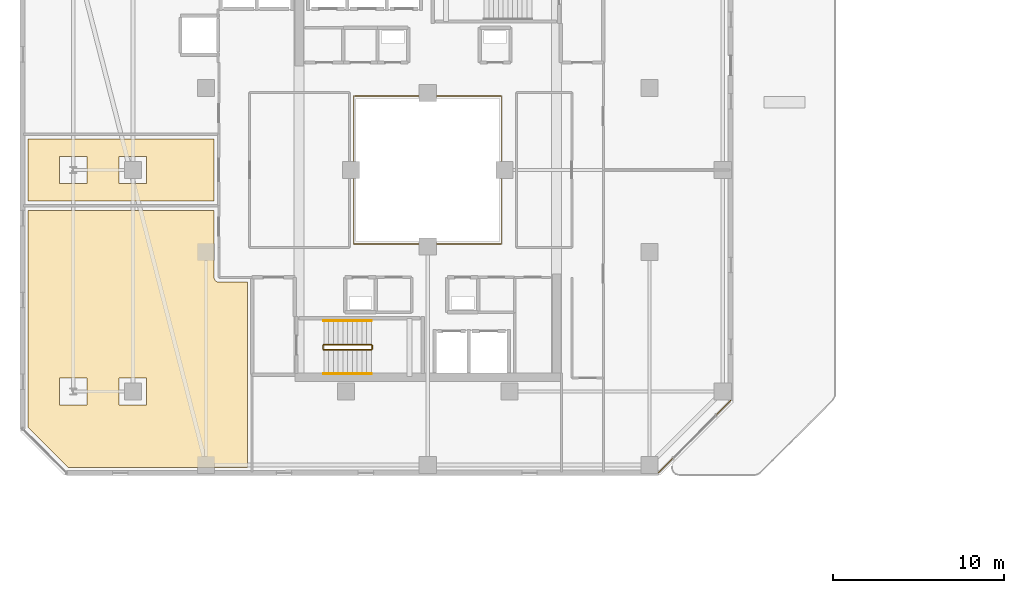
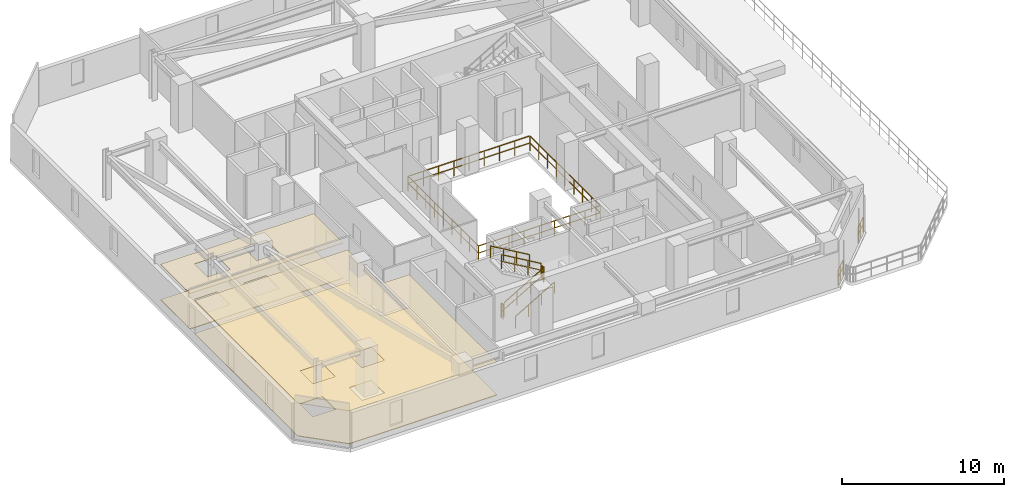
# One storey, part 28 of 32: 9 railings, 4 coverings.
"""IFC4 building model written with IfcOpenShell, lengths in metres."""

import ifcopenshell
import ifcopenshell.guid

model = None  # the IFC model being written
_history = None  # IfcOwnerHistory: only IFC2X3 demands one
_inside = {}  # id of a spatial element -> (the spatial element, [elements in it])
_under = {}  # id of a project, library or spatial element -> (it, [spatial elements below it])
_declared = {}  # id of a project -> (the project, [libraries it declares])
_typed = {}  # id of a type object -> (the type object, [elements of that type])
_made_of = {}  # id of a material, layer set ... -> (it, [elements and type objects made of it])


def new_model(schema):
    """Start an empty IFC model of exactly this schema.

    Asked for "IFC4X3", IfcOpenShell would pick the latest addendum, in which some entities
    have other attributes; the version numbers below select the first issue.
    IFC2X3 requires an IfcOwnerHistory on every rooted entity: one is made here for all.
    """
    global model, _history
    if schema == "IFC4X3":
        model = ifcopenshell.file(schema_version=(4, 3, 0, 0))
    else:
        model = ifcopenshell.file(schema=schema)
    _inside.clear()
    _under.clear()
    _declared.clear()
    _typed.clear()
    _made_of.clear()
    _history = None
    if model.schema == "IFC2X3":
        org = make("IfcOrganization", Name="unknown")
        user = make(
            "IfcPersonAndOrganization",
            ThePerson=make("IfcPerson", FamilyName="unknown"),
            TheOrganization=org,
        )
        app = make(
            "IfcApplication",
            ApplicationDeveloper=org,
            Version="unknown",
            ApplicationFullName="unknown",
            ApplicationIdentifier="unknown",
        )
        _history = make(
            "IfcOwnerHistory",
            OwningUser=user,
            OwningApplication=app,
            ChangeAction="ADDED",
            CreationDate=0,
        )
    return model


def make(cls, **values):
    """One entity of the class cls with the attributes given. An attribute that is None is left unset."""
    return model.create_entity(
        cls, **{name: value for name, value in values.items() if value is not None}
    )


def rooted(cls, **values):
    """An entity with a GlobalId (a new one), such as an element, a storey or a relation."""
    return make(cls, GlobalId=ifcopenshell.guid.new(), OwnerHistory=_history, **values)


def si_unit(unit_type, name, prefix=None):
    """IfcSIUnit, for example si_unit("LENGTHUNIT", "METRE", prefix="MILLI")."""
    return make("IfcSIUnit", UnitType=unit_type, Prefix=prefix, Name=name)


def assignment(units):
    """IfcUnitAssignment: the units of a project."""
    return None if units is None else make("IfcUnitAssignment", Units=units)


def point(xyz):
    """IfcCartesianPoint."""
    return None if xyz is None else make("IfcCartesianPoint", Coordinates=xyz)


def direction(xyz):
    """IfcDirection."""
    return None if xyz is None else make("IfcDirection", DirectionRatios=xyz)


def frame(location, z_axis=None, x_axis=None):
    """IfcAxis2Placement3D, a coordinate frame: its origin and axes. An axis left out is left unset."""
    return make(
        "IfcAxis2Placement3D",
        Location=point(location),
        Axis=direction(z_axis),
        RefDirection=direction(x_axis),
    )


def frame_2d(location, x_axis=None):
    """IfcAxis2Placement2D, a coordinate frame in the plane: its origin and x axis."""
    return make(
        "IfcAxis2Placement2D", Location=point(location), RefDirection=direction(x_axis)
    )


def origin():
    """The frame at (0, 0, 0) with its axes left unset."""
    return frame((0.0, 0.0, 0.0))


def origin_2d():
    """The frame at (0, 0) in the plane with its x axis left unset."""
    return frame_2d((0.0, 0.0))


def place(relative_to, where):
    """IfcLocalPlacement: puts the frame where relative to a parent placement (None: the world)."""
    return make(
        "IfcLocalPlacement", PlacementRelTo=relative_to, RelativePlacement=where
    )


def context(
    kind, dimensions, precision=None, world=None, true_north=None, identifier=None
):
    """IfcGeometricRepresentationContext, for example the 3D "Model" context."""
    return make(
        "IfcGeometricRepresentationContext",
        ContextIdentifier=identifier,
        ContextType=kind,
        CoordinateSpaceDimension=dimensions,
        Precision=precision,
        WorldCoordinateSystem=world,
        TrueNorth=true_north,
    )


def subcontext(parent, identifier, kind, view, scale=None):
    """IfcGeometricRepresentationSubContext, for example "Body" below "Model"."""
    return make(
        "IfcGeometricRepresentationSubContext",
        ContextIdentifier=identifier,
        ContextType=kind,
        ParentContext=parent,
        TargetScale=scale,
        TargetView=view,
    )


def project(units=None, contexts=None):
    """IfcProject with its units and contexts."""
    return rooted(
        "IfcProject",
        Name="project",
        RepresentationContexts=contexts,
        UnitsInContext=assignment(units),
    )


def spatial(cls, under=None, at=None, **own):
    """A site, building, storey or space (cls), placed at a placement, below another one or the project."""
    s = rooted(cls, ObjectPlacement=at, **own)
    if under is not None:
        _under.setdefault(under.id(), (under, []))[1].append(s)
    return s


def polyline(points):
    """IfcPolyline through the points."""
    return make("IfcPolyline", Points=[point(p) for p in points])


def profile(cls, at=None, kind="AREA", **sizes):
    """A parametric profile (cls). Its sizes go by their IFC names, for example OverallWidth=200.0."""
    return make(cls, ProfileType=kind, Position=at, **sizes)


def rectangle(**sizes):
    """IfcRectangleProfileDef."""
    return profile("IfcRectangleProfileDef", **sizes)


def outline(outer, holes=None, kind="AREA"):
    """IfcArbitraryClosedProfileDef: a profile drawn as a closed curve; with holes, ...WithVoids."""
    if holes is None:
        return make("IfcArbitraryClosedProfileDef", ProfileType=kind, OuterCurve=outer)
    return make(
        "IfcArbitraryProfileDefWithVoids",
        ProfileType=kind,
        OuterCurve=outer,
        InnerCurves=holes,
    )


def extrude(swept, where, along, depth):
    """IfcExtrudedAreaSolid: the profile swept, set in the frame where, extruded along a direction by depth."""
    return make(
        "IfcExtrudedAreaSolid",
        SweptArea=swept,
        Position=where,
        ExtrudedDirection=direction(along),
        Depth=depth,
    )


def shape(context_of_items, identifier, shape_type, items):
    """IfcShapeRepresentation: the items that make up one representation, for example the "Body"."""
    return make(
        "IfcShapeRepresentation",
        ContextOfItems=context_of_items,
        RepresentationIdentifier=identifier,
        RepresentationType=shape_type,
        Items=items,
    )


def material(Name=None, Category=None):
    """IfcMaterial."""
    return make("IfcMaterial", Name=Name, Category=Category)


def layer(
    of_material, thickness, ventilated=None, Name=None, Category=None, Priority=None
):
    """IfcMaterialLayer: one layer of a wall or slab, of a material (None: an air gap)."""
    return make(
        "IfcMaterialLayer",
        Material=of_material,
        LayerThickness=thickness,
        IsVentilated=ventilated,
        Name=Name,
        Category=Category,
        Priority=Priority,
    )


def layer_set(layers, Name=None):
    """IfcMaterialLayerSet."""
    return make("IfcMaterialLayerSet", MaterialLayers=layers, LayerSetName=Name)


def made_of(thing, what):
    """Note that an element or type object is made of a material, layer set ...; save() writes the relation."""
    if what is not None:
        _made_of.setdefault(what.id(), (what, []))[1].append(thing)
    return thing


def type_object(cls, material=None, **own):
    """A type object (cls), such as IfcWallType, which elements share."""
    return made_of(rooted(cls, **own), material)


def element(
    cls,
    number,
    at=None,
    inside=None,
    cuts=None,
    type_object=None,
    material=None,
    context=None,
    identifier="Body",
    shape_type=None,
    held_by="IfcProductDefinitionShape",
    body=None,
    shapes=None,
    **own,
):
    """One element of the class cls, such as IfcWall. Its Tag is "e" and its number.

    at: its placement. inside: the storey or other place that contains it. cuts: it is an
    opening in that element (IfcRelVoidsElement). A single representation is given by context,
    identifier, shape_type and body (its items); several are given by shapes. held_by: the class
    of the entity that holds the representations. save() writes the other relations.
    """
    e = rooted(cls, Tag="e%d" % number, ObjectPlacement=at, **own)
    if body is not None:
        shapes = [shape(context, identifier, shape_type, body)]
    if shapes is not None:
        e.Representation = make(held_by, Representations=shapes)
    if inside is not None:
        _inside.setdefault(inside.id(), (inside, []))[1].append(e)
    if cuts is not None:
        rooted(
            "IfcRelVoidsElement", RelatingBuildingElement=cuts, RelatedOpeningElement=e
        )
    if type_object is not None:
        _typed.setdefault(type_object.id(), (type_object, []))[1].append(e)
    return made_of(e, material)


def aggregate(whole, parts):
    """IfcRelAggregates: a whole, such as a stair, and the parts it consists of."""
    return rooted("IfcRelAggregates", RelatingObject=whole, RelatedObjects=parts)


def save(model, path):
    """Write the relations noted so far, then the file.

    IfcRelAggregates (storeys below a building ...), IfcRelContainedInSpatialStructure (elements
    in a storey), IfcRelDefinesByType, IfcRelAssociatesMaterial and IfcRelDeclares: one each for
    every whole, place, type object, material and project.
    """
    for whole, parts in _under.values():
        aggregate(whole, parts)
    for where, things in _inside.values():
        rooted(
            "IfcRelContainedInSpatialStructure",
            RelatedElements=things,
            RelatingStructure=where,
        )
    for kind, things in _typed.values():
        rooted("IfcRelDefinesByType", RelatedObjects=things, RelatingType=kind)
    for what, things in _made_of.values():
        rooted("IfcRelAssociatesMaterial", RelatedObjects=things, RelatingMaterial=what)
    for by, libraries in _declared.values():
        rooted("IfcRelDeclares", RelatingContext=by, RelatedDefinitions=libraries)
    model.write(path)


model = new_model("IFC4")

# Units and contexts
model_context = context("Model", 3, precision=1e-05, world=origin(), true_north=direction((0.0, 1.0)))
body_context = subcontext(model_context, "Body", "Model", "MODEL_VIEW")
ifc_project = project(units=[si_unit("LENGTHUNIT", "METRE"), si_unit("AREAUNIT", "SQUARE_METRE"), si_unit("VOLUMEUNIT", "CUBIC_METRE"), si_unit("PLANEANGLEUNIT", "RADIAN"), si_unit("MASSUNIT", "GRAM", prefix="KILO")], contexts=[model_context])

# Site, building, storey
site_placement = place(None, origin())
site = spatial("IfcSite", under=ifc_project, at=site_placement, CompositionType="ELEMENT")
building_placement = place(site_placement, origin())
building = spatial("IfcBuilding", under=site, at=building_placement, Name="Thornwick Lancets Civic Towers", CompositionType="ELEMENT")
storey_placement = place(building_placement, frame((0.0, 0.0, 200.10009765625)))
storey = spatial("IfcBuildingStorey", under=building, at=storey_placement, Name="L53", CompositionType="ELEMENT", Elevation=200.10009765625)

# Coverings
ifc_material_1 = material(Name="Perforated mineral acoustic ceiling tile")
ifc_layer_1 = layer(ifc_material_1, 0.0400390625, Name="Perforated mineral acoustic ceiling tile")
ifc_layer_set_1 = layer_set([ifc_layer_1], Name="Perforated mineral acoustic ceiling tile")
covering_type_1 = type_object("IfcCoveringType", Name="COV_CEIL_ACOUSTIC", PredefinedType="CEILING", material=ifc_layer_set_1)
covering_1_placement = place(storey_placement, frame((0.0, 0.0, 2.48486328125)))
element("IfcCovering", 1, at=covering_1_placement, inside=storey, type_object=covering_type_1, Name="L53 Tower A Ministry Directorate Office W1 Ceiling", PredefinedType="CEILING", context=body_context, shape_type="SweptSolid", body=[
    extrude(outline(polyline([(2.06005859375, 11.890625), (2.06005859375, 24.6201171875), (12.969970703125, 24.6201171875), (12.969970703125, 20.699951171875), (12.97119140625, 20.672607421875), (12.975341796875, 20.6455078125), (12.982177734375, 20.61865234375), (12.9912109375, 20.5927734375), (13.003173828125, 20.568115234375), (13.01708984375, 20.54443359375), (13.03369140625, 20.5224609375), (13.052001953125, 20.501953125), (13.072509765625, 20.483642578125), (13.094482421875, 20.46728515625), (13.117919921875, 20.453125), (13.142822265625, 20.44140625), (13.168701171875, 20.43212890625), (13.1953125, 20.42529296875), (13.22265625, 20.42138671875), (13.25, 20.419921875), (14.919921875, 20.419921875), (14.919921875, 9.56005859375), (4.390625, 9.56005859375), (2.06005859375, 11.890625)]), holes=[polyline([(7.39990234375, 13.199951171875), (9.0, 13.199951171875), (9.0, 14.800048828125), (7.39990234375, 14.800048828125), (7.39990234375, 13.199951171875)]), polyline([(3.89990234375, 13.199951171875), (5.5, 13.199951171875), (5.5, 14.800048828125), (3.89990234375, 14.800048828125), (3.89990234375, 13.199951171875)])]), origin(), (0.0, 0.0, 1.0), 0.0400390625),
])
covering_2_placement = place(storey_placement, frame((0.0, 0.0, 2.667724609375)))
element("IfcCovering", 2, at=covering_2_placement, inside=storey, type_object=covering_type_1, Name="L53 Tower A Policy Briefing Room W2 Ceiling", PredefinedType="CEILING", context=body_context, shape_type="SweptSolid", body=[
    extrude(outline(polyline([(12.969970703125, 25.179931640625), (2.06005859375, 25.179931640625), (2.06005859375, 28.820068359375), (12.969970703125, 28.820068359375), (12.969970703125, 25.179931640625)]), holes=[polyline([(7.39990234375, 26.199951171875), (9.0, 26.199951171875), (9.0, 27.800048828125), (7.39990234375, 27.800048828125), (7.39990234375, 26.199951171875)]), polyline([(3.89990234375, 26.199951171875), (5.5, 26.199951171875), (5.5, 27.800048828125), (3.89990234375, 27.800048828125), (3.89990234375, 26.199951171875)])]), origin(), (0.0, 0.0, 1.0), 0.0400390625),
])
ifc_material_2 = material(Name="Calcium-sulfate raised access floor panel")
ifc_layer_2 = layer(ifc_material_2, 0.050048828125, Name="Calcium-sulfate raised access floor panel")
ifc_layer_set_2 = layer_set([ifc_layer_2], Name="Calcium-sulfate raised access floor panel")
covering_type_2 = type_object("IfcCoveringType", Name="COV_FLOOR_RAISED", PredefinedType="FLOORING", material=ifc_layer_set_2)
covering_3_placement = place(storey_placement, origin())
element("IfcCovering", 3, at=covering_3_placement, inside=storey, type_object=covering_type_2, Name="L53 Tower A Ministry Directorate Office W1 Raised Access Flooring", PredefinedType="FLOORING", context=body_context, shape_type="SweptSolid", body=[
    extrude(outline(polyline([(2.06005859375, 11.890625), (2.06005859375, 24.6201171875), (12.969970703125, 24.6201171875), (12.969970703125, 20.699951171875), (12.97119140625, 20.672607421875), (12.975341796875, 20.6455078125), (12.982177734375, 20.61865234375), (12.9912109375, 20.5927734375), (13.003173828125, 20.568115234375), (13.01708984375, 20.54443359375), (13.03369140625, 20.5224609375), (13.052001953125, 20.501953125), (13.072509765625, 20.483642578125), (13.094482421875, 20.46728515625), (13.117919921875, 20.453125), (13.142822265625, 20.44140625), (13.168701171875, 20.43212890625), (13.1953125, 20.42529296875), (13.22265625, 20.42138671875), (13.25, 20.419921875), (14.919921875, 20.419921875), (14.919921875, 9.56005859375), (4.390625, 9.56005859375), (2.06005859375, 11.890625)]), holes=[polyline([(7.39990234375, 13.199951171875), (9.0, 13.199951171875), (9.0, 14.800048828125), (7.39990234375, 14.800048828125), (7.39990234375, 13.199951171875)]), polyline([(3.89990234375, 13.199951171875), (5.5, 13.199951171875), (5.5, 14.800048828125), (3.89990234375, 14.800048828125), (3.89990234375, 13.199951171875)])]), origin(), (0.0, 0.0, 1.0), 0.0498046875),
])
covering_4_placement = place(storey_placement, origin())
element("IfcCovering", 4, at=covering_4_placement, inside=storey, type_object=covering_type_2, Name="L53 Tower A Policy Briefing Room W2 Raised Access Flooring", PredefinedType="FLOORING", context=body_context, shape_type="SweptSolid", body=[
    extrude(outline(polyline([(12.969970703125, 25.179931640625), (2.06005859375, 25.179931640625), (2.06005859375, 28.820068359375), (12.969970703125, 28.820068359375), (12.969970703125, 25.179931640625)]), holes=[polyline([(7.39990234375, 26.199951171875), (9.0, 26.199951171875), (9.0, 27.800048828125), (7.39990234375, 27.800048828125), (7.39990234375, 26.199951171875)]), polyline([(3.89990234375, 26.199951171875), (5.5, 26.199951171875), (5.5, 27.800048828125), (3.89990234375, 27.800048828125), (3.89990234375, 26.199951171875)])]), origin(), (0.0, 0.0, 1.0), 0.0498046875),
])

# Railings
ifc_material_3 = material(Name="Laminated glass and bronze steel S355", Category="steel")
railing_type_1 = type_object("IfcRailingType", Name="RAIL_ATRIUM_GUARD", PredefinedType="BALUSTRADE", material=ifc_material_3)
railing_1_placement = place(storey_placement, frame((21.159912109375, 22.659912109375, 0.0)))
element("IfcRailing", 5, at=railing_1_placement, inside=storey, type_object=railing_type_1, Name="L53 Tower A Central Atrium Guard Balustrade", PredefinedType="BALUSTRADE", context=body_context, shape_type="SweptSolid", body=[
    extrude(rectangle(XDim=0.048095703125, YDim=0.048095703125, at=origin_2d()), frame((0.0, 0.0, 1.1259765625), z_axis=(1.0, 0.0, 0.0), x_axis=(0.0, 1.0, 0.0)), (0.0, 0.0, 1.0), 8.64892578125),
    extrude(rectangle(XDim=0.0419921875, YDim=0.0419921875, at=origin_2d()), frame((0.03759765625, 0.0, 0.597900390625), z_axis=(1.0, 0.0, 0.0), x_axis=(0.0, 1.0, 0.0)), (0.0, 0.0, 1.0), 1.010009765625),
    extrude(rectangle(XDim=0.0419921875, YDim=0.0419921875, at=origin_2d()), frame((1.12255859375, 0.0, 0.597900390625), z_axis=(1.0, 0.0, 0.0), x_axis=(0.0, 1.0, 0.0)), (0.0, 0.0, 1.0), 1.010009765625),
    extrude(rectangle(XDim=0.0419921875, YDim=0.0419921875, at=origin_2d()), frame((2.20751953125, 0.0, 0.597900390625), z_axis=(1.0, 0.0, 0.0), x_axis=(0.0, 1.0, 0.0)), (0.0, 0.0, 1.0), 1.010009765625),
    extrude(rectangle(XDim=0.0419921875, YDim=0.0419921875, at=origin_2d()), frame((3.29248046875, 0.0, 0.597900390625), z_axis=(1.0, 0.0, 0.0), x_axis=(0.0, 1.0, 0.0)), (0.0, 0.0, 1.0), 1.010009765625),
    extrude(rectangle(XDim=0.0419921875, YDim=0.0419921875, at=origin_2d()), frame((4.377685546875, 0.0, 0.597900390625), z_axis=(1.0, 0.0, 0.0), x_axis=(0.0, 1.0, 0.0)), (0.0, 0.0, 1.0), 1.010009765625),
    extrude(rectangle(XDim=0.0419921875, YDim=0.0419921875, at=origin_2d()), frame((5.462646484375, 0.0, 0.597900390625), z_axis=(1.0, 0.0, 0.0), x_axis=(0.0, 1.0, 0.0)), (0.0, 0.0, 1.0), 1.010009765625),
    extrude(rectangle(XDim=0.0419921875, YDim=0.0419921875, at=origin_2d()), frame((6.547607421875, 0.0, 0.597900390625), z_axis=(1.0, 0.0, 0.0), x_axis=(0.0, 1.0, 0.0)), (0.0, 0.0, 1.0), 1.010009765625),
    extrude(rectangle(XDim=0.0419921875, YDim=0.0419921875, at=origin_2d()), frame((7.632568359375, 0.0, 0.597900390625), z_axis=(1.0, 0.0, 0.0), x_axis=(0.0, 1.0, 0.0)), (0.0, 0.0, 1.0), 1.010009765625),
    extrude(rectangle(XDim=0.048095703125, YDim=0.048095703125, at=origin_2d()), frame((8.68017578125, 0.03125, 1.1259765625), z_axis=(0.0, 1.0, 0.0), x_axis=(-1.0, 0.0, 0.0)), (0.0, 0.0, 1.0), 8.61767578125),
    extrude(rectangle(XDim=0.0419921875, YDim=0.0419921875, at=origin_2d()), frame((8.68017578125, 0.03759765625, 0.597900390625), z_axis=(0.0, 1.0, 0.0), x_axis=(-1.0, 0.0, 0.0)), (0.0, 0.0, 1.0), 1.010009765625),
    extrude(rectangle(XDim=0.0419921875, YDim=0.0419921875, at=origin_2d()), frame((8.68017578125, 1.12255859375, 0.597900390625), z_axis=(0.0, 1.0, 0.0), x_axis=(-1.0, 0.0, 0.0)), (0.0, 0.0, 1.0), 1.010009765625),
    extrude(rectangle(XDim=0.0419921875, YDim=0.0419921875, at=origin_2d()), frame((8.68017578125, 2.20751953125, 0.597900390625), z_axis=(0.0, 1.0, 0.0), x_axis=(-1.0, 0.0, 0.0)), (0.0, 0.0, 1.0), 1.010009765625),
    extrude(rectangle(XDim=0.0419921875, YDim=0.0419921875, at=origin_2d()), frame((8.68017578125, 3.29248046875, 0.597900390625), z_axis=(0.0, 1.0, 0.0), x_axis=(-1.0, 0.0, 0.0)), (0.0, 0.0, 1.0), 1.010009765625),
    extrude(rectangle(XDim=0.0419921875, YDim=0.0419921875, at=origin_2d()), frame((8.68017578125, 4.377685546875, 0.597900390625), z_axis=(0.0, 1.0, 0.0), x_axis=(-1.0, 0.0, 0.0)), (0.0, 0.0, 1.0), 1.010009765625),
    extrude(rectangle(XDim=0.0419921875, YDim=0.0419921875, at=origin_2d()), frame((8.68017578125, 5.462646484375, 0.597900390625), z_axis=(0.0, 1.0, 0.0), x_axis=(-1.0, 0.0, 0.0)), (0.0, 0.0, 1.0), 1.010009765625),
    extrude(rectangle(XDim=0.0419921875, YDim=0.0419921875, at=origin_2d()), frame((8.68017578125, 6.547607421875, 0.597900390625), z_axis=(0.0, 1.0, 0.0), x_axis=(-1.0, 0.0, 0.0)), (0.0, 0.0, 1.0), 1.010009765625),
    extrude(rectangle(XDim=0.0419921875, YDim=0.0419921875, at=origin_2d()), frame((8.68017578125, 7.632568359375, 0.597900390625), z_axis=(0.0, 1.0, 0.0), x_axis=(-1.0, 0.0, 0.0)), (0.0, 0.0, 1.0), 1.010009765625),
    extrude(rectangle(XDim=0.048095703125, YDim=0.048095703125, at=origin_2d()), frame((8.64892578125, 8.68017578125, 1.1259765625), z_axis=(-1.0, 0.0, 0.0), x_axis=(0.0, -1.0, 0.0)), (0.0, 0.0, 1.0), 8.61767578125),
    extrude(rectangle(XDim=0.0419921875, YDim=0.0419921875, at=origin_2d()), frame((8.642578125, 8.68017578125, 0.597900390625), z_axis=(-1.0, 0.0, 0.0), x_axis=(0.0, -1.0, 0.0)), (0.0, 0.0, 1.0), 1.010009765625),
    extrude(rectangle(XDim=0.0419921875, YDim=0.0419921875, at=origin_2d()), frame((7.5576171875, 8.68017578125, 0.597900390625), z_axis=(-1.0, 0.0, 0.0), x_axis=(0.0, -1.0, 0.0)), (0.0, 0.0, 1.0), 1.010009765625),
    extrude(rectangle(XDim=0.0419921875, YDim=0.0419921875, at=origin_2d()), frame((6.47265625, 8.68017578125, 0.597900390625), z_axis=(-1.0, 0.0, 0.0), x_axis=(0.0, -1.0, 0.0)), (0.0, 0.0, 1.0), 1.010009765625),
    extrude(rectangle(XDim=0.0419921875, YDim=0.0419921875, at=origin_2d()), frame((5.3876953125, 8.68017578125, 0.597900390625), z_axis=(-1.0, 0.0, 0.0), x_axis=(0.0, -1.0, 0.0)), (0.0, 0.0, 1.0), 1.010009765625),
    extrude(rectangle(XDim=0.0419921875, YDim=0.0419921875, at=origin_2d()), frame((4.302490234375, 8.68017578125, 0.597900390625), z_axis=(-1.0, 0.0, 0.0), x_axis=(0.0, -1.0, 0.0)), (0.0, 0.0, 1.0), 1.010009765625),
    extrude(rectangle(XDim=0.0419921875, YDim=0.0419921875, at=origin_2d()), frame((3.217529296875, 8.68017578125, 0.597900390625), z_axis=(-1.0, 0.0, 0.0), x_axis=(0.0, -1.0, 0.0)), (0.0, 0.0, 1.0), 1.010009765625),
    extrude(rectangle(XDim=0.0419921875, YDim=0.0419921875, at=origin_2d()), frame((2.132568359375, 8.68017578125, 0.597900390625), z_axis=(-1.0, 0.0, 0.0), x_axis=(0.0, -1.0, 0.0)), (0.0, 0.0, 1.0), 1.010009765625),
    extrude(rectangle(XDim=0.0419921875, YDim=0.0419921875, at=origin_2d()), frame((1.047607421875, 8.68017578125, 0.597900390625), z_axis=(-1.0, 0.0, 0.0), x_axis=(0.0, -1.0, 0.0)), (0.0, 0.0, 1.0), 1.010009765625),
    extrude(rectangle(XDim=0.048095703125, YDim=0.048095703125, at=origin_2d()), frame((0.0, 8.64892578125, 1.1259765625), z_axis=(0.0, -1.0, 0.0), x_axis=(1.0, 0.0, 0.0)), (0.0, 0.0, 1.0), 8.64892578125),
    extrude(rectangle(XDim=0.0419921875, YDim=0.0419921875, at=origin_2d()), frame((0.0, 8.642578125, 0.597900390625), z_axis=(0.0, -1.0, 0.0), x_axis=(1.0, 0.0, 0.0)), (0.0, 0.0, 1.0), 1.010009765625),
    extrude(rectangle(XDim=0.0419921875, YDim=0.0419921875, at=origin_2d()), frame((0.0, 7.5576171875, 0.597900390625), z_axis=(0.0, -1.0, 0.0), x_axis=(1.0, 0.0, 0.0)), (0.0, 0.0, 1.0), 1.010009765625),
    extrude(rectangle(XDim=0.0419921875, YDim=0.0419921875, at=origin_2d()), frame((0.0, 6.47265625, 0.597900390625), z_axis=(0.0, -1.0, 0.0), x_axis=(1.0, 0.0, 0.0)), (0.0, 0.0, 1.0), 1.010009765625),
    extrude(rectangle(XDim=0.0419921875, YDim=0.0419921875, at=origin_2d()), frame((0.0, 5.3876953125, 0.597900390625), z_axis=(0.0, -1.0, 0.0), x_axis=(1.0, 0.0, 0.0)), (0.0, 0.0, 1.0), 1.010009765625),
    extrude(rectangle(XDim=0.0419921875, YDim=0.0419921875, at=origin_2d()), frame((0.0, 4.302490234375, 0.597900390625), z_axis=(0.0, -1.0, 0.0), x_axis=(1.0, 0.0, 0.0)), (0.0, 0.0, 1.0), 1.010009765625),
    extrude(rectangle(XDim=0.0419921875, YDim=0.0419921875, at=origin_2d()), frame((0.0, 3.217529296875, 0.597900390625), z_axis=(0.0, -1.0, 0.0), x_axis=(1.0, 0.0, 0.0)), (0.0, 0.0, 1.0), 1.010009765625),
    extrude(rectangle(XDim=0.0419921875, YDim=0.0419921875, at=origin_2d()), frame((0.0, 2.132568359375, 0.597900390625), z_axis=(0.0, -1.0, 0.0), x_axis=(1.0, 0.0, 0.0)), (0.0, 0.0, 1.0), 1.010009765625),
    extrude(rectangle(XDim=0.0419921875, YDim=0.0419921875, at=origin_2d()), frame((0.0, 1.047607421875, 0.597900390625), z_axis=(0.0, -1.0, 0.0), x_axis=(1.0, 0.0, 0.0)), (0.0, 0.0, 1.0), 1.010009765625),
    extrude(rectangle(XDim=0.0419921875, YDim=0.0419921875, at=origin_2d()), origin(), (0.0, 0.0, 1.0), 1.095703125),
    extrude(rectangle(XDim=0.0419921875, YDim=0.0419921875, at=origin_2d()), frame((1.0849609375, 0.0, 0.0)), (0.0, 0.0, 1.0), 1.095703125),
    extrude(rectangle(XDim=0.0419921875, YDim=0.0419921875, at=origin_2d()), frame((2.169921875, 0.0, 0.0)), (0.0, 0.0, 1.0), 1.095703125),
    extrude(rectangle(XDim=0.0419921875, YDim=0.0419921875, at=origin_2d()), frame((3.255126953125, 0.0, 0.0)), (0.0, 0.0, 1.0), 1.095703125),
    extrude(rectangle(XDim=0.0419921875, YDim=0.0419921875, at=origin_2d()), frame((4.340087890625, 0.0, 0.0)), (0.0, 0.0, 1.0), 1.095703125),
    extrude(rectangle(XDim=0.0419921875, YDim=0.0419921875, at=origin_2d()), frame((5.425048828125, 0.0, 0.0)), (0.0, 0.0, 1.0), 1.095703125),
    extrude(rectangle(XDim=0.0419921875, YDim=0.0419921875, at=origin_2d()), frame((6.51025390625, 0.0, 0.0)), (0.0, 0.0, 1.0), 1.095703125),
    extrude(rectangle(XDim=0.0419921875, YDim=0.0419921875, at=origin_2d()), frame((7.59521484375, 0.0, 0.0)), (0.0, 0.0, 1.0), 1.095703125),
    extrude(rectangle(XDim=0.0419921875, YDim=0.0419921875, at=origin_2d()), frame((8.68017578125, 0.0, 0.0)), (0.0, 0.0, 1.0), 1.095703125),
    extrude(rectangle(XDim=0.0419921875, YDim=0.0419921875, at=origin_2d()), frame((8.68017578125, 1.0849609375, 0.0)), (0.0, 0.0, 1.0), 1.095703125),
    extrude(rectangle(XDim=0.0419921875, YDim=0.0419921875, at=origin_2d()), frame((8.68017578125, 2.169921875, 0.0)), (0.0, 0.0, 1.0), 1.095703125),
    extrude(rectangle(XDim=0.0419921875, YDim=0.0419921875, at=origin_2d()), frame((8.68017578125, 3.255126953125, 0.0)), (0.0, 0.0, 1.0), 1.095703125),
    extrude(rectangle(XDim=0.0419921875, YDim=0.0419921875, at=origin_2d()), frame((8.68017578125, 4.340087890625, 0.0)), (0.0, 0.0, 1.0), 1.095703125),
    extrude(rectangle(XDim=0.0419921875, YDim=0.0419921875, at=origin_2d()), frame((8.68017578125, 5.425048828125, 0.0)), (0.0, 0.0, 1.0), 1.095703125),
    extrude(rectangle(XDim=0.0419921875, YDim=0.0419921875, at=origin_2d()), frame((8.68017578125, 6.51025390625, 0.0)), (0.0, 0.0, 1.0), 1.095703125),
    extrude(rectangle(XDim=0.0419921875, YDim=0.0419921875, at=origin_2d()), frame((8.68017578125, 7.59521484375, 0.0)), (0.0, 0.0, 1.0), 1.095703125),
    extrude(rectangle(XDim=0.0419921875, YDim=0.0419921875, at=origin_2d()), frame((8.68017578125, 8.68017578125, 0.0)), (0.0, 0.0, 1.0), 1.095703125),
    extrude(rectangle(XDim=0.0419921875, YDim=0.0419921875, at=origin_2d()), frame((7.59521484375, 8.68017578125, 0.0)), (0.0, 0.0, 1.0), 1.095703125),
    extrude(rectangle(XDim=0.0419921875, YDim=0.0419921875, at=origin_2d()), frame((6.51025390625, 8.68017578125, 0.0)), (0.0, 0.0, 1.0), 1.095703125),
    extrude(rectangle(XDim=0.0419921875, YDim=0.0419921875, at=origin_2d()), frame((5.425048828125, 8.68017578125, 0.0)), (0.0, 0.0, 1.0), 1.095703125),
    extrude(rectangle(XDim=0.0419921875, YDim=0.0419921875, at=origin_2d()), frame((4.340087890625, 8.68017578125, 0.0)), (0.0, 0.0, 1.0), 1.095703125),
    extrude(rectangle(XDim=0.0419921875, YDim=0.0419921875, at=origin_2d()), frame((3.255126953125, 8.68017578125, 0.0)), (0.0, 0.0, 1.0), 1.095703125),
    extrude(rectangle(XDim=0.0419921875, YDim=0.0419921875, at=origin_2d()), frame((2.169921875, 8.68017578125, 0.0)), (0.0, 0.0, 1.0), 1.095703125),
    extrude(rectangle(XDim=0.0419921875, YDim=0.0419921875, at=origin_2d()), frame((1.0849609375, 8.68017578125, 0.0)), (0.0, 0.0, 1.0), 1.095703125),
    extrude(rectangle(XDim=0.0419921875, YDim=0.0419921875, at=origin_2d()), frame((0.0, 8.68017578125, 0.0)), (0.0, 0.0, 1.0), 1.095703125),
    extrude(rectangle(XDim=0.0419921875, YDim=0.0419921875, at=origin_2d()), frame((0.0, 7.59521484375, 0.0)), (0.0, 0.0, 1.0), 1.095703125),
    extrude(rectangle(XDim=0.0419921875, YDim=0.0419921875, at=origin_2d()), frame((0.0, 6.51025390625, 0.0)), (0.0, 0.0, 1.0), 1.095703125),
    extrude(rectangle(XDim=0.0419921875, YDim=0.0419921875, at=origin_2d()), frame((0.0, 5.425048828125, 0.0)), (0.0, 0.0, 1.0), 1.095703125),
    extrude(rectangle(XDim=0.0419921875, YDim=0.0419921875, at=origin_2d()), frame((0.0, 4.340087890625, 0.0)), (0.0, 0.0, 1.0), 1.095703125),
    extrude(rectangle(XDim=0.0419921875, YDim=0.0419921875, at=origin_2d()), frame((0.0, 3.255126953125, 0.0)), (0.0, 0.0, 1.0), 1.095703125),
    extrude(rectangle(XDim=0.0419921875, YDim=0.0419921875, at=origin_2d()), frame((0.0, 2.169921875, 0.0)), (0.0, 0.0, 1.0), 1.095703125),
    extrude(rectangle(XDim=0.0419921875, YDim=0.0419921875, at=origin_2d()), frame((0.0, 1.0849609375, 0.0)), (0.0, 0.0, 1.0), 1.095703125),
])
ifc_material_4 = material(Name="Brushed stainless steel S355", Category="steel")
railing_type_2 = type_object("IfcRailingType", Name="RAIL_HANDRAIL", PredefinedType="HANDRAIL", material=ifc_material_4)
railing_2_placement = place(storey_placement, frame((19.39990234375, 15.050048828125, 0.16357421875)))
element("IfcRailing", 6, at=railing_2_placement, inside=storey, type_object=railing_type_2, Name="L53 ST-A1 stair handrail 1", PredefinedType="HANDRAIL", context=body_context, shape_type="SweptSolid", body=[
    extrude(rectangle(XDim=0.048095703125, YDim=0.048095703125, at=origin_2d()), frame((0.0, 0.0, 0.8857421875), z_axis=(0.863393664356, 0.0, 0.504530851732), x_axis=(0.0, 1.0, 0.0)), (0.0, 0.0, 1.0), 3.2431640625),
    extrude(rectangle(XDim=0.0419921875, YDim=0.0419921875, at=origin_2d()), origin(), (0.0, 0.0, 1.0), 0.855712890625),
    extrude(rectangle(XDim=0.0419921875, YDim=0.0419921875, at=origin_2d()), frame((0.933349609375, 0.0, 0.54541015625)), (0.0, 0.0, 1.0), 0.855712890625),
    extrude(rectangle(XDim=0.0419921875, YDim=0.0419921875, at=origin_2d()), frame((1.86669921875, 0.0, 1.0908203125)), (0.0, 0.0, 1.0), 0.855712890625),
    extrude(rectangle(XDim=0.0419921875, YDim=0.0419921875, at=origin_2d()), frame((2.800048828125, 0.0, 1.63623046875)), (0.0, 0.0, 1.0), 0.855712890625),
])
railing_3_placement = place(storey_placement, frame((22.199951171875, 18.14990234375, 1.963623046875)))
element("IfcRailing", 7, at=railing_3_placement, inside=storey, type_object=railing_type_2, Name="L53 ST-A1 stair handrail 2", PredefinedType="HANDRAIL", context=body_context, shape_type="SweptSolid", body=[
    extrude(rectangle(XDim=0.048095703125, YDim=0.048095703125, at=origin_2d()), frame((0.0, 0.0, 0.8857421875), z_axis=(-0.863393664356, 0.0, 0.504530851732), x_axis=(0.0, -1.0, 0.0)), (0.0, 0.0, 1.0), 3.2431640625),
    extrude(rectangle(XDim=0.0419921875, YDim=0.0419921875, at=origin_2d()), origin(), (0.0, 0.0, 1.0), 0.855712890625),
    extrude(rectangle(XDim=0.0419921875, YDim=0.0419921875, at=origin_2d()), frame((-0.933349609375, 0.0, 0.54541015625)), (0.0, 0.0, 1.0), 0.855712890625),
    extrude(rectangle(XDim=0.0419921875, YDim=0.0419921875, at=origin_2d()), frame((-1.86669921875, 0.0, 1.0908203125)), (0.0, 0.0, 1.0), 0.855712890625),
    extrude(rectangle(XDim=0.0419921875, YDim=0.0419921875, at=origin_2d()), frame((-2.800048828125, 0.0, 1.63623046875)), (0.0, 0.0, 1.0), 0.855712890625),
])
ifc_material_5 = material(Name="Steel S355JR", Category="steel")
railing_type_3 = type_object("IfcRailingType", Name="RAIL_STAIR_GUARD", PredefinedType="GUARDRAIL", material=ifc_material_5)
railing_4_placement = place(storey_placement, frame((19.39990234375, 16.449951171875, 0.16357421875)))
element("IfcRailing", 8, at=railing_4_placement, inside=storey, type_object=railing_type_3, Name="L53 ST-A1 stair guard 1", PredefinedType="GUARDRAIL", context=body_context, shape_type="SweptSolid", body=[
    extrude(rectangle(XDim=0.048095703125, YDim=0.048095703125, at=origin_2d()), frame((0.0, 0.0, 1.076171875), z_axis=(0.863393664356, 0.0, 0.504530851732), x_axis=(0.0, 1.0, 0.0)), (0.0, 0.0, 1.0), 3.2431640625),
    extrude(rectangle(XDim=0.0419921875, YDim=0.0419921875, at=origin_2d()), frame((0.032470703125, 0.0, 0.591064453125), z_axis=(0.863393664356, 0.0, 0.504530851732), x_axis=(0.0, 1.0, 0.0)), (0.0, 0.0, 1.0), 1.006103515625),
    extrude(rectangle(XDim=0.0419921875, YDim=0.0419921875, at=origin_2d()), frame((0.9658203125, 0.0, 1.136474609375), z_axis=(0.863393664356, 0.0, 0.504530851732), x_axis=(0.0, 1.0, 0.0)), (0.0, 0.0, 1.0), 1.006103515625),
    extrude(rectangle(XDim=0.0419921875, YDim=0.0419921875, at=origin_2d()), frame((1.899169921875, 0.0, 1.681884765625), z_axis=(0.863393664356, 0.0, 0.504530851732), x_axis=(0.0, 1.0, 0.0)), (0.0, 0.0, 1.0), 1.006103515625),
    extrude(rectangle(XDim=0.0419921875, YDim=0.0419921875, at=origin_2d()), origin(), (0.0, 0.0, 1.0), 1.0458984375),
    extrude(rectangle(XDim=0.0419921875, YDim=0.0419921875, at=origin_2d()), frame((0.933349609375, 0.0, 0.54541015625)), (0.0, 0.0, 1.0), 1.0458984375),
    extrude(rectangle(XDim=0.0419921875, YDim=0.0419921875, at=origin_2d()), frame((1.86669921875, 0.0, 1.0908203125)), (0.0, 0.0, 1.0), 1.0458984375),
    extrude(rectangle(XDim=0.0419921875, YDim=0.0419921875, at=origin_2d()), frame((2.800048828125, 0.0, 1.63623046875)), (0.0, 0.0, 1.0), 1.0458984375),
])
railing_5_placement = place(storey_placement, frame((22.25, 16.5, 1.7998046875)))
element("IfcRailing", 9, at=railing_5_placement, inside=storey, type_object=railing_type_3, Name="L53 ST-A1 stair guard 2", PredefinedType="GUARDRAIL", context=body_context, shape_type="SweptSolid", body=[
    extrude(rectangle(XDim=0.048095703125, YDim=0.048095703125, at=origin_2d()), frame((0.0, 0.0, 1.076171875), z_axis=(0.0, 1.0, 0.0), x_axis=(-1.0, 0.0, 0.0)), (0.0, 0.0, 1.0), 0.199951171875),
    extrude(rectangle(XDim=0.0419921875, YDim=0.0419921875, at=origin_2d()), frame((0.0, 0.03759765625, 0.572021484375), z_axis=(0.0, 1.0, 0.0), x_axis=(-1.0, 0.0, 0.0)), (0.0, 0.0, 1.0), 0.125),
    extrude(rectangle(XDim=0.0419921875, YDim=0.0419921875, at=origin_2d()), origin(), (0.0, 0.0, 1.0), 1.0458984375),
    extrude(rectangle(XDim=0.0419921875, YDim=0.0419921875, at=origin_2d()), frame((0.0, 0.199951171875, 0.0)), (0.0, 0.0, 1.0), 1.0458984375),
])
railing_6_placement = place(storey_placement, frame((22.199951171875, 16.75, 1.963623046875)))
element("IfcRailing", 10, at=railing_6_placement, inside=storey, type_object=railing_type_3, Name="L53 ST-A1 stair guard 3", PredefinedType="GUARDRAIL", context=body_context, shape_type="SweptSolid", body=[
    extrude(rectangle(XDim=0.048095703125, YDim=0.048095703125, at=origin_2d()), frame((0.0, 0.0, 1.076171875), z_axis=(-0.863393664356, 0.0, 0.504530851732), x_axis=(0.0, -1.0, 0.0)), (0.0, 0.0, 1.0), 3.2431640625),
    extrude(rectangle(XDim=0.0419921875, YDim=0.0419921875, at=origin_2d()), frame((-0.032470703125, 0.0, 0.591064453125), z_axis=(-0.863393664356, 0.0, 0.504530851732), x_axis=(0.0, -1.0, 0.0)), (0.0, 0.0, 1.0), 1.006103515625),
    extrude(rectangle(XDim=0.0419921875, YDim=0.0419921875, at=origin_2d()), frame((-0.9658203125, 0.0, 1.136474609375), z_axis=(-0.863393664356, 0.0, 0.504530851732), x_axis=(0.0, -1.0, 0.0)), (0.0, 0.0, 1.0), 1.006103515625),
    extrude(rectangle(XDim=0.0419921875, YDim=0.0419921875, at=origin_2d()), frame((-1.899169921875, 0.0, 1.681884765625), z_axis=(-0.863393664356, 0.0, 0.504530851732), x_axis=(0.0, -1.0, 0.0)), (0.0, 0.0, 1.0), 1.006103515625),
    extrude(rectangle(XDim=0.0419921875, YDim=0.0419921875, at=origin_2d()), origin(), (0.0, 0.0, 1.0), 1.0458984375),
    extrude(rectangle(XDim=0.0419921875, YDim=0.0419921875, at=origin_2d()), frame((-0.933349609375, 0.0, 0.54541015625)), (0.0, 0.0, 1.0), 1.0458984375),
    extrude(rectangle(XDim=0.0419921875, YDim=0.0419921875, at=origin_2d()), frame((-1.86669921875, 0.0, 1.0908203125)), (0.0, 0.0, 1.0), 1.0458984375),
    extrude(rectangle(XDim=0.0419921875, YDim=0.0419921875, at=origin_2d()), frame((-2.800048828125, 0.0, 1.63623046875)), (0.0, 0.0, 1.0), 1.0458984375),
])
railing_7_placement = place(storey_placement, frame((19.35009765625, 16.5, 0.0)))
element("IfcRailing", 11, at=railing_7_placement, inside=storey, type_object=railing_type_3, Name="L53 ST-A1 stair guard 4", PredefinedType="GUARDRAIL", context=body_context, shape_type="SweptSolid", body=[
    extrude(rectangle(XDim=0.048095703125, YDim=0.048095703125, at=origin_2d()), frame((0.0, 0.0, 1.076171875), z_axis=(0.0, 1.0, 0.0), x_axis=(-1.0, 0.0, 0.0)), (0.0, 0.0, 1.0), 0.199951171875),
    extrude(rectangle(XDim=0.0419921875, YDim=0.0419921875, at=origin_2d()), frame((0.0, 0.03759765625, 0.572021484375), z_axis=(0.0, 1.0, 0.0), x_axis=(-1.0, 0.0, 0.0)), (0.0, 0.0, 1.0), 0.125),
    extrude(rectangle(XDim=0.0419921875, YDim=0.0419921875, at=origin_2d()), origin(), (0.0, 0.0, 1.0), 1.0458984375),
    extrude(rectangle(XDim=0.0419921875, YDim=0.0419921875, at=origin_2d()), frame((0.0, 0.199951171875, 0.0)), (0.0, 0.0, 1.0), 1.0458984375),
])
ifc_material_6 = material(Name="Terracotta-capped laminated glass balustrade S355", Category="masonry")
railing_type_4 = type_object("IfcRailingType", Name="RAIL_TERR_GUARD", PredefinedType="GUARDRAIL", material=ifc_material_6)
for number, where, name in (
    (12, (39.02587890625, 9.24072265625, 0.0), "L53 Tower A Chamfer Spandrel Guard E1-1"),
    (13, (42.40869140625, 12.62353515625, 0.0), "L53 Tower A Chamfer Spandrel Guard E1-2"),
):
    element("IfcRailing", number, at=place(storey_placement, frame(where)), inside=storey, type_object=railing_type_4, Name=name, PredefinedType="GUARDRAIL", context=body_context, shape_type="SweptSolid", body=[
        extrude(rectangle(XDim=0.048095703125, YDim=0.048095703125, at=origin_2d()), frame((0.0, 0.0, 1.1259765625), z_axis=(0.707106781187, 0.707106781187, 0.0), x_axis=(-0.707106781187, 0.707106781187, 0.0)), (0.0, 0.0, 1.0), 1.202880859375),
        extrude(rectangle(XDim=0.0419921875, YDim=0.0419921875, at=origin_2d()), frame((0.026611328125, 0.026611328125, 0.597900390625), z_axis=(0.707106781187, 0.707106781187, 0.0), x_axis=(-0.707106781187, 0.707106781187, 0.0)), (0.0, 0.0, 1.0), 0.5263671875),
        extrude(rectangle(XDim=0.0419921875, YDim=0.0419921875, at=origin_2d()), frame((0.451904296875, 0.451904296875, 0.597900390625), z_axis=(0.707106781187, 0.707106781187, 0.0), x_axis=(-0.707106781187, 0.707106781187, 0.0)), (0.0, 0.0, 1.0), 0.5263671875),
        extrude(rectangle(XDim=0.0419921875, YDim=0.0419921875, at=origin_2d()), origin(), (0.0, 0.0, 1.0), 1.095703125),
        extrude(rectangle(XDim=0.0419921875, YDim=0.0419921875, at=origin_2d()), frame((0.42529296875, 0.42529296875, 0.0)), (0.0, 0.0, 1.0), 1.095703125),
        extrude(rectangle(XDim=0.0419921875, YDim=0.0419921875, at=origin_2d()), frame((0.8505859375, 0.8505859375, 0.0)), (0.0, 0.0, 1.0), 1.095703125),
    ])

save(model, "model.ifc")
